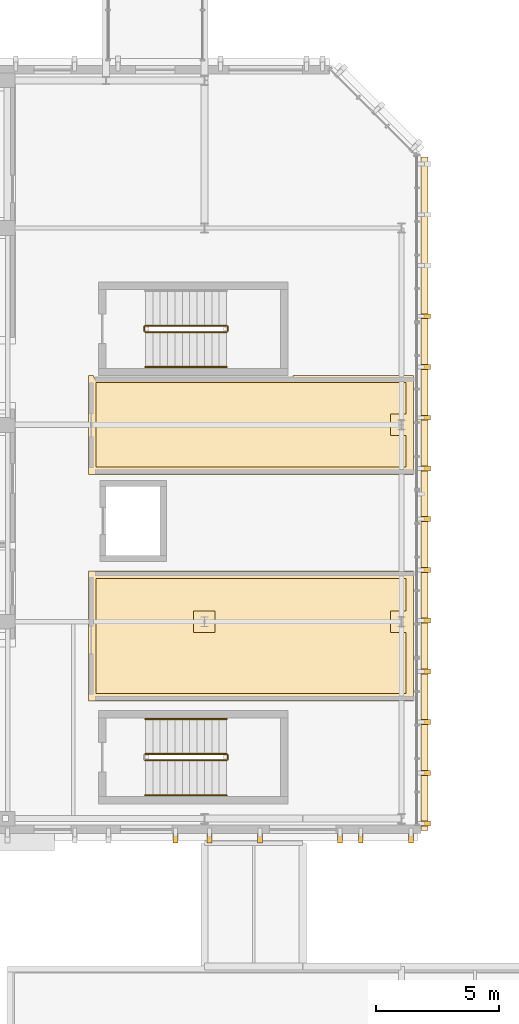
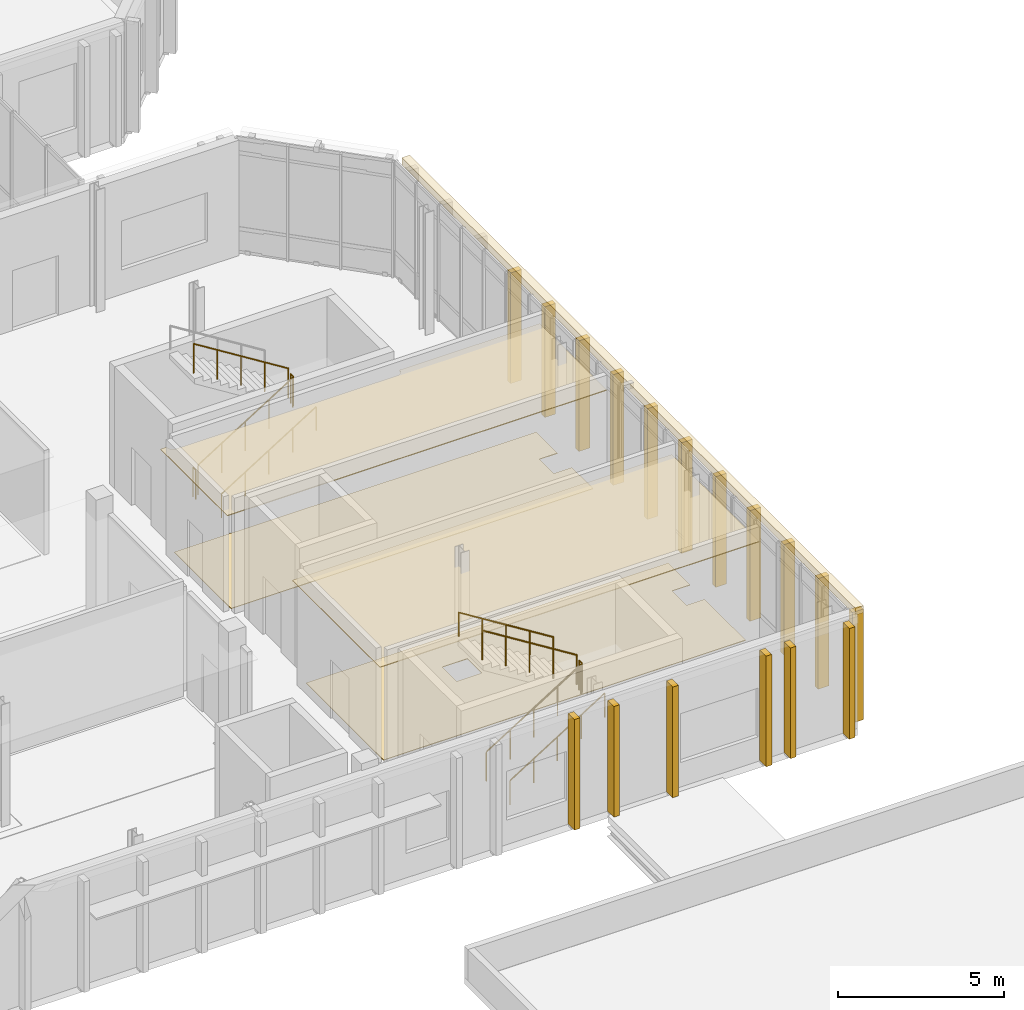
# One storey, part 75 of 86: 22 coverings, 10 railings.
"""IFC4 building model written with IfcOpenShell, lengths in metres."""

from ifc_helpers import new_model, si_unit, direction, frame, origin, origin_2d, place, context, subcontext, project, spatial, polyline, rectangle, circle, outline, extrude, material, layer, layer_set, type_object, element, save


model = new_model("IFC4")

# Units and contexts
model_context = context("Model", 3, precision=1e-05, world=origin(), true_north=direction((0.0, 1.0)))
body_context = subcontext(model_context, "Body", "Model", "MODEL_VIEW")
ifc_project = project(units=[si_unit("LENGTHUNIT", "METRE"), si_unit("AREAUNIT", "SQUARE_METRE"), si_unit("VOLUMEUNIT", "CUBIC_METRE"), si_unit("PLANEANGLEUNIT", "RADIAN"), si_unit("MASSUNIT", "GRAM", prefix="KILO")], contexts=[model_context])

# Site, building, storey
site_placement = place(None, origin())
site = spatial("IfcSite", under=ifc_project, at=site_placement, CompositionType="ELEMENT")
building_placement = place(site_placement, origin())
building = spatial("IfcBuilding", under=site, at=building_placement, Name="Cymarion Research Institute", CompositionType="ELEMENT")
storey_placement = place(building_placement, frame((0.0, 0.0, 13.800048828125)))
storey = spatial("IfcBuildingStorey", under=building, at=storey_placement, Name="L03", CompositionType="ELEMENT", Elevation=13.800048828125)

# Coverings
ifc_material_1 = material(Name="Micro-perforated mineral acoustic ceiling tile", Category="gypsum")
ifc_layer_1 = layer(ifc_material_1, 0.030029296875)
ifc_layer_set_1 = layer_set([ifc_layer_1], Name="Micro-perforated mineral acoustic ceiling tile")
covering_type_1 = type_object("IfcCoveringType", Name="ACOUSTIC MICRO-PERFORATED SUSPENDED CEILING CLG-01", PredefinedType="CEILING", material=ifc_layer_set_1)
covering_1_placement = place(storey_placement, frame((0.0, 0.0, 3.699951171875)))
element("IfcCovering", 1, at=covering_1_placement, inside=storey, type_object=covering_type_1, Name="L03 L03 Gas Cabinet & Thin-Film Deposition Laboratory acoustic ceiling", PredefinedType="CEILING", context=body_context, shape_type="SweptSolid", body=[
    extrude(outline(polyline([(47.094970703125, 57.56494140625), (47.094970703125, 52.284912109375), (33.885009765625, 52.284912109375), (33.885009765625, 57.56494140625), (47.094970703125, 57.56494140625)])), origin(), (0.0, 0.0, 1.0), 0.030029296875),
])
covering_2_placement = place(storey_placement, frame((0.0, 0.0, 3.699951171875)))
element("IfcCovering", 2, at=covering_2_placement, inside=storey, type_object=covering_type_1, Name="L03 L03 Accessible WC and Cleanroom Staff Washrooms acoustic ceiling", PredefinedType="CEILING", context=body_context, shape_type="SweptSolid", body=[
    extrude(outline(polyline([(34.10009765625, 65.514892578125), (34.10009765625, 65.5), (34.10107421875, 65.48046875), (34.103759765625, 65.4609375), (34.108642578125, 65.44189453125), (34.115234375, 65.423583984375), (34.12353515625, 65.40576171875), (34.1337890625, 65.388916015625), (34.1455078125, 65.373046875), (34.15869140625, 65.358642578125), (34.173095703125, 65.345458984375), (34.18896484375, 65.333740234375), (34.205810546875, 65.323486328125), (34.223388671875, 65.315185546875), (34.241943359375, 65.30859375), (34.260986328125, 65.3037109375), (34.280517578125, 65.301025390625), (34.300048828125, 65.300048828125), (42.0, 65.300048828125), (42.01953125, 65.301025390625), (42.0390625, 65.3037109375), (42.05810546875, 65.30859375), (42.076416015625, 65.315185546875), (42.09423828125, 65.323486328125), (42.111083984375, 65.333740234375), (42.126953125, 65.345458984375), (42.141357421875, 65.358642578125), (42.154541015625, 65.373046875), (42.166259765625, 65.388916015625), (42.176513671875, 65.40576171875), (42.184814453125, 65.423583984375), (42.19140625, 65.44189453125), (42.1962890625, 65.4609375), (42.198974609375, 65.48046875), (42.199951171875, 65.5), (42.199951171875, 65.514892578125), (47.094970703125, 65.514892578125), (47.094970703125, 61.485107421875), (33.885009765625, 61.485107421875), (33.885009765625, 65.514892578125), (34.10009765625, 65.514892578125)])), origin(), (0.0, 0.0, 1.0), 0.030029296875),
])

# Railings
ifc_material_2 = material(Name="Steel S355", Category="steel")
railing_type_1 = type_object("IfcRailingType", Name="PAINTED STEEL STAIR GUARDRAIL GR1 1100MM", PredefinedType="GUARDRAIL", material=ifc_material_2)
railing_1_placement = place(storey_placement, frame((36.199951171875, 49.8701171875, 0.1875)))
element("IfcRailing", 3, at=railing_1_placement, inside=storey, type_object=railing_type_1, Name="L03 ST7 stair guard 1", PredefinedType="GUARDRAIL", context=body_context, shape_type="SweptSolid", body=[
    extrude(circle(Radius=0.02392578125, at=origin_2d()), frame((0.0, 0.0, 1.076171875), z_axis=(0.848001828478, 0.0, 0.529993300805), x_axis=(0.0, 1.0, 0.0)), (0.0, 0.0, 1.0), 3.8916015625),
    extrude(circle(Radius=0.02099609375, at=origin_2d()), origin(), (0.0, 0.0, 1.0), 1.052001953125),
    extrude(circle(Radius=0.02099609375, at=origin_2d()), frame((0.824951171875, 0.0, 0.515625)), (0.0, 0.0, 1.0), 1.052001953125),
    extrude(circle(Radius=0.02099609375, at=origin_2d()), frame((1.64990234375, 0.0, 1.03125)), (0.0, 0.0, 1.0), 1.052001953125),
    extrude(circle(Radius=0.02099609375, at=origin_2d()), frame((2.47509765625, 0.0, 1.546875)), (0.0, 0.0, 1.0), 1.052001953125),
    extrude(circle(Radius=0.02099609375, at=origin_2d()), frame((3.300048828125, 0.0, 2.0625)), (0.0, 0.0, 1.0), 1.052001953125),
])
railing_2_placement = place(storey_placement, frame((39.550048828125, 49.919921875, 2.25)))
element("IfcRailing", 4, at=railing_2_placement, inside=storey, type_object=railing_type_1, Name="L03 ST7 stair guard 2", PredefinedType="GUARDRAIL", context=body_context, shape_type="SweptSolid", body=[
    extrude(circle(Radius=0.02392578125, at=origin_2d()), frame((0.0, 0.0, 1.076171875), z_axis=(0.0, 1.0, 0.0), x_axis=(-1.0, 0.0, 0.0)), (0.0, 0.0, 1.0), 0.16015625),
    extrude(circle(Radius=0.02099609375, at=origin_2d()), origin(), (0.0, 0.0, 1.0), 1.052001953125),
    extrude(circle(Radius=0.02099609375, at=origin_2d()), frame((0.0, 0.16015625, 0.0)), (0.0, 0.0, 1.0), 1.052001953125),
])
railing_3_placement = place(storey_placement, frame((39.5, 50.1298828125, 2.4375)))
element("IfcRailing", 5, at=railing_3_placement, inside=storey, type_object=railing_type_1, Name="L03 ST7 stair guard 3", PredefinedType="GUARDRAIL", context=body_context, shape_type="SweptSolid", body=[
    extrude(circle(Radius=0.02392578125, at=origin_2d()), frame((0.0, 0.0, 1.076171875), z_axis=(-0.848001828478, 0.0, 0.529993300805), x_axis=(0.0, -1.0, 0.0)), (0.0, 0.0, 1.0), 3.8916015625),
    extrude(circle(Radius=0.02099609375, at=origin_2d()), origin(), (0.0, 0.0, 1.0), 1.052001953125),
    extrude(circle(Radius=0.02099609375, at=origin_2d()), frame((-0.824951171875, 0.0, 0.515625)), (0.0, 0.0, 1.0), 1.052001953125),
    extrude(circle(Radius=0.02099609375, at=origin_2d()), frame((-1.64990234375, 0.0, 1.03125)), (0.0, 0.0, 1.0), 1.052001953125),
    extrude(circle(Radius=0.02099609375, at=origin_2d()), frame((-2.47509765625, 0.0, 1.546875)), (0.0, 0.0, 1.0), 1.052001953125),
    extrude(circle(Radius=0.02099609375, at=origin_2d()), frame((-3.300048828125, 0.0, 2.0625)), (0.0, 0.0, 1.0), 1.052001953125),
])
railing_4_placement = place(storey_placement, frame((36.199951171875, 67.27001953125, 0.1875)))
element("IfcRailing", 6, at=railing_4_placement, inside=storey, type_object=railing_type_1, Name="L03 ST8 stair guard 1", PredefinedType="GUARDRAIL", context=body_context, shape_type="SweptSolid", body=[
    extrude(circle(Radius=0.02392578125, at=origin_2d()), frame((0.0, 0.0, 1.076171875), z_axis=(0.848001828478, 0.0, 0.529993300805), x_axis=(0.0, 1.0, 0.0)), (0.0, 0.0, 1.0), 3.8916015625),
    extrude(circle(Radius=0.02099609375, at=origin_2d()), origin(), (0.0, 0.0, 1.0), 1.052001953125),
    extrude(circle(Radius=0.02099609375, at=origin_2d()), frame((0.824951171875, 0.0, 0.515625)), (0.0, 0.0, 1.0), 1.052001953125),
    extrude(circle(Radius=0.02099609375, at=origin_2d()), frame((1.64990234375, 0.0, 1.03125)), (0.0, 0.0, 1.0), 1.052001953125),
    extrude(circle(Radius=0.02099609375, at=origin_2d()), frame((2.47509765625, 0.0, 1.546875)), (0.0, 0.0, 1.0), 1.052001953125),
    extrude(circle(Radius=0.02099609375, at=origin_2d()), frame((3.300048828125, 0.0, 2.0625)), (0.0, 0.0, 1.0), 1.052001953125),
])
railing_5_placement = place(storey_placement, frame((39.550048828125, 67.320068359375, 2.25)))
element("IfcRailing", 7, at=railing_5_placement, inside=storey, type_object=railing_type_1, Name="L03 ST8 stair guard 2", PredefinedType="GUARDRAIL", context=body_context, shape_type="SweptSolid", body=[
    extrude(circle(Radius=0.02392578125, at=origin_2d()), frame((0.0, 0.0, 1.076171875), z_axis=(0.0, 1.0, 0.0), x_axis=(-1.0, 0.0, 0.0)), (0.0, 0.0, 1.0), 0.159912109375),
    extrude(circle(Radius=0.02099609375, at=origin_2d()), origin(), (0.0, 0.0, 1.0), 1.052001953125),
    extrude(circle(Radius=0.02099609375, at=origin_2d()), frame((0.0, 0.159912109375, 0.0)), (0.0, 0.0, 1.0), 1.052001953125),
])
railing_6_placement = place(storey_placement, frame((39.5, 67.530029296875, 2.4375)))
element("IfcRailing", 8, at=railing_6_placement, inside=storey, type_object=railing_type_1, Name="L03 ST8 stair guard 3", PredefinedType="GUARDRAIL", context=body_context, shape_type="SweptSolid", body=[
    extrude(circle(Radius=0.02392578125, at=origin_2d()), frame((0.0, 0.0, 1.076171875), z_axis=(-0.848001828478, 0.0, 0.529993300805), x_axis=(0.0, -1.0, 0.0)), (0.0, 0.0, 1.0), 3.8916015625),
    extrude(circle(Radius=0.02099609375, at=origin_2d()), origin(), (0.0, 0.0, 1.0), 1.052001953125),
    extrude(circle(Radius=0.02099609375, at=origin_2d()), frame((-0.824951171875, 0.0, 0.515625)), (0.0, 0.0, 1.0), 1.052001953125),
    extrude(circle(Radius=0.02099609375, at=origin_2d()), frame((-1.64990234375, 0.0, 1.03125)), (0.0, 0.0, 1.0), 1.052001953125),
    extrude(circle(Radius=0.02099609375, at=origin_2d()), frame((-2.47509765625, 0.0, 1.546875)), (0.0, 0.0, 1.0), 1.052001953125),
    extrude(circle(Radius=0.02099609375, at=origin_2d()), frame((-3.300048828125, 0.0, 2.0625)), (0.0, 0.0, 1.0), 1.052001953125),
])
railing_7_placement = place(storey_placement, frame((36.14990234375, 67.320068359375, 0.0)))
element("IfcRailing", 9, at=railing_7_placement, inside=storey, type_object=railing_type_1, Name="L03 ST8 stair guard 4", PredefinedType="GUARDRAIL", context=body_context, shape_type="SweptSolid", body=[
    extrude(circle(Radius=0.02392578125, at=origin_2d()), frame((0.0, 0.0, 1.076171875), z_axis=(0.0, 1.0, 0.0), x_axis=(-1.0, 0.0, 0.0)), (0.0, 0.0, 1.0), 0.159912109375),
    extrude(circle(Radius=0.02099609375, at=origin_2d()), origin(), (0.0, 0.0, 1.0), 1.052001953125),
    extrude(circle(Radius=0.02099609375, at=origin_2d()), frame((0.0, 0.159912109375, 0.0)), (0.0, 0.0, 1.0), 1.052001953125),
])

# Coverings
ifc_material_3 = material(Name="Precast concrete C45/55 architectural white", Category="concrete")
ifc_layer_2 = layer(ifc_material_3, 0.260009765625)
ifc_layer_set_2 = layer_set([ifc_layer_2], Name="Precast concrete C45/55 architectural white")
covering_type_2 = type_object("IfcCoveringType", Name="SCULPTURAL WHITE PRECAST CONCRETE SPANDREL BROW BAND RIB2 280MM", PredefinedType="CLADDING", material=ifc_layer_set_2)
covering_3_placement = place(storey_placement, frame((47.5419921875, 60.699951171875, 4.08984375), z_axis=(0.0, 0.0, 1.0), x_axis=(1.0, 0.0, 0.0)))
element("IfcCovering", 10, at=covering_3_placement, inside=storey, type_object=covering_type_2, Name="L03 V4 precast spandrel brow band RIB2 #687", PredefinedType="CLADDING", context=body_context, shape_type="SweptSolid", body=[
    extrude(rectangle(XDim=0.280029296875, YDim=27.360107421875, at=origin_2d()), origin(), (0.0, 0.0, 1.0), 0.260009765625),
])
ifc_layer_3 = layer(ifc_material_3, 0.199951171875)
ifc_layer_set_3 = layer_set([ifc_layer_3], Name="Precast concrete C45/55 architectural white")
covering_type_3 = type_object("IfcCoveringType", Name="SCULPTURAL WHITE PRECAST CONCRETE VERTICAL RIB RIB1 380X200", PredefinedType="CLADDING", material=ifc_layer_set_3)
for number, where, z_axis, x_axis, name in (
    (11, (37.429931640625, 46.7080078125, 0.009765625), (0.0, 0.0, 1.0), (0.0, -1.0, 0.0), "L03 V4 sculptural precast vertical rib RIB1 #681"),
    (12, (38.800048828125, 46.7080078125, 0.009765625), (0.0, 0.0, 1.0), (0.0, -1.0, 0.0), "L03 V4 sculptural precast vertical rib RIB1 #682"),
    (13, (40.85009765625, 46.7080078125, 0.009765625), (0.0, 0.0, 1.0), (0.0, -1.0, 0.0), "L03 V4 sculptural precast vertical rib RIB1 #683"),
    (14, (44.10009765625, 46.7080078125, 0.009765625), (0.0, 0.0, 1.0), (0.0, -1.0, 0.0), "L03 V4 sculptural precast vertical rib RIB1 #684"),
    (15, (44.949951171875, 46.7080078125, 0.009765625), (0.0, 0.0, 1.0), (0.0, -1.0, 0.0), "L03 V4 sculptural precast vertical rib RIB1 #685"),
    (16, (47.0, 46.7080078125, 0.009765625), (0.0, 0.0, 1.0), (0.0, -1.0, 0.0), "L03 V4 sculptural precast vertical rib RIB1 #686"),
    (17, (47.592041015625, 47.300048828125, 0.009765625), (0.0, 0.0, 1.0), (1.0, 0.0, 0.0), "L03 V4 sculptural precast vertical rib RIB1 #688"),
    (18, (47.592041015625, 49.361572265625, 0.009765625), (0.0, 0.0, 1.0), (1.0, 0.0, 0.0), "L03 V4 sculptural precast vertical rib RIB1 #689"),
    (19, (47.592041015625, 51.423095703125, 0.009765625), (0.0, 0.0, 1.0), (1.0, 0.0, 0.0), "L03 V4 sculptural precast vertical rib RIB1 #690"),
    (20, (47.592041015625, 53.484619140625, 0.009765625), (0.0, 0.0, 1.0), (1.0, 0.0, 0.0), "L03 V4 sculptural precast vertical rib RIB1 #691"),
    (21, (47.592041015625, 55.546142578125, 0.009765625), (0.0, 0.0, 1.0), (1.0, 0.0, 0.0), "L03 V4 sculptural precast vertical rib RIB1 #692"),
    (22, (47.592041015625, 57.607666015625, 0.009765625), (0.0, 0.0, 1.0), (1.0, 0.0, 0.0), "L03 V4 sculptural precast vertical rib RIB1 #693"),
    (23, (47.592041015625, 59.669189453125, 0.009765625), (0.0, 0.0, 1.0), (1.0, 0.0, 0.0), "L03 V4 sculptural precast vertical rib RIB1 #694"),
    (24, (47.592041015625, 61.730712890625, 0.009765625), (0.0, 0.0, 1.0), (1.0, 0.0, 0.0), "L03 V4 sculptural precast vertical rib RIB1 #695"),
    (25, (47.592041015625, 63.792236328125, 0.009765625), (0.0, 0.0, 1.0), (1.0, 0.0, 0.0), "L03 V4 sculptural precast vertical rib RIB1 #696"),
    (26, (47.592041015625, 65.853759765625, 0.009765625), (0.0, 0.0, 1.0), (1.0, 0.0, 0.0), "L03 V4 sculptural precast vertical rib RIB1 #697"),
    (27, (47.592041015625, 67.915283203125, 0.009765625), (0.0, 0.0, 1.0), (1.0, 0.0, 0.0), "L03 V4 sculptural precast vertical rib RIB1 #698"),
):
    element("IfcCovering", number, at=place(storey_placement, frame(where, z_axis=z_axis, x_axis=x_axis)), inside=storey, type_object=covering_type_3, Name=name, PredefinedType="CLADDING", context=body_context, shape_type="SweptSolid", body=[
        extrude(rectangle(XDim=0.3798828125, YDim=0.199951171875, at=origin_2d()), origin(), (0.0, 0.0, 1.0), 4.074951171875),
    ])
ifc_material_4 = material(Name="Seamless dissipative epoxy resin flooring", Category="resin")
ifc_layer_4 = layer(ifc_material_4, 0.02001953125)
ifc_layer_set_4 = layer_set([ifc_layer_4], Name="Seamless dissipative epoxy resin flooring")
covering_type_4 = type_object("IfcCoveringType", Name="SEAMLESS ESD EPOXY LABORATORY FLOORING FLR-01", PredefinedType="FLOORING", material=ifc_layer_set_4)
covering_4_placement = place(storey_placement, origin())
element("IfcCovering", 28, at=covering_4_placement, inside=storey, type_object=covering_type_4, Name="L03 L03 Gas Cabinet & Thin-Film Deposition Laboratory ESD epoxy flooring", PredefinedType="FLOORING", context=body_context, shape_type="SweptSolid", body=[
    extrude(outline(polyline([(34.18505859375, 57.264892578125), (46.794921875, 57.264892578125), (46.794921875, 55.93505859375), (46.1650390625, 55.93505859375), (46.1650390625, 55.06494140625), (46.794921875, 55.06494140625), (46.794921875, 52.5849609375), (34.18505859375, 52.5849609375), (34.18505859375, 57.264892578125)]), holes=[polyline([(39.034912109375, 55.93505859375), (38.1650390625, 55.93505859375), (38.1650390625, 55.06494140625), (39.034912109375, 55.06494140625), (39.034912109375, 55.93505859375)])]), origin(), (0.0, 0.0, 1.0), 0.02001953125),
])
covering_5_placement = place(storey_placement, origin())
element("IfcCovering", 29, at=covering_5_placement, inside=storey, type_object=covering_type_4, Name="L03 L03 Accessible WC and Cleanroom Staff Washrooms ESD epoxy flooring", PredefinedType="FLOORING", context=body_context, shape_type="SweptSolid", body=[
    extrude(outline(polyline([(34.18505859375, 65.215087890625), (46.794921875, 65.215087890625), (46.794921875, 63.93505859375), (46.1650390625, 63.93505859375), (46.1650390625, 63.06494140625), (46.794921875, 63.06494140625), (46.794921875, 61.784912109375), (34.18505859375, 61.784912109375), (34.18505859375, 65.215087890625)])), origin(), (0.0, 0.0, 1.0), 0.02001953125),
])

# Railings
railing_type_2 = type_object("IfcRailingType", Name="STAINLESS STEEL STAIR HANDRAIL HR1 900MM", PredefinedType="HANDRAIL", material=ifc_material_2)
railing_8_placement = place(storey_placement, frame((36.199951171875, 48.449951171875, 0.1875)))
element("IfcRailing", 30, at=railing_8_placement, inside=storey, type_object=railing_type_2, Name="L03 ST7 stair handrail 1", PredefinedType="HANDRAIL", context=body_context, shape_type="SweptSolid", body=[
    extrude(circle(Radius=0.02392578125, at=origin_2d()), frame((0.0, 0.0, 0.8759765625), z_axis=(0.848001828478, 0.0, 0.529993300805), x_axis=(0.0, 1.0, 0.0)), (0.0, 0.0, 1.0), 3.8916015625),
    extrude(circle(Radius=0.02099609375, at=origin_2d()), origin(), (0.0, 0.0, 1.0), 0.851806640625),
    extrude(circle(Radius=0.02099609375, at=origin_2d()), frame((0.824951171875, 0.0, 0.515625)), (0.0, 0.0, 1.0), 0.851806640625),
    extrude(circle(Radius=0.02099609375, at=origin_2d()), frame((1.64990234375, 0.0, 1.03125)), (0.0, 0.0, 1.0), 0.851806640625),
    extrude(circle(Radius=0.02099609375, at=origin_2d()), frame((2.47509765625, 0.0, 1.546875)), (0.0, 0.0, 1.0), 0.851806640625),
    extrude(circle(Radius=0.02099609375, at=origin_2d()), frame((3.300048828125, 0.0, 2.0625)), (0.0, 0.0, 1.0), 0.851806640625),
])
railing_9_placement = place(storey_placement, frame((39.5, 51.550048828125, 2.4375)))
element("IfcRailing", 31, at=railing_9_placement, inside=storey, type_object=railing_type_2, Name="L03 ST7 stair handrail 2", PredefinedType="HANDRAIL", context=body_context, shape_type="SweptSolid", body=[
    extrude(circle(Radius=0.02392578125, at=origin_2d()), frame((0.0, 0.0, 0.8759765625), z_axis=(-0.848001828478, 0.0, 0.529993300805), x_axis=(0.0, -1.0, 0.0)), (0.0, 0.0, 1.0), 3.8916015625),
    extrude(circle(Radius=0.02099609375, at=origin_2d()), origin(), (0.0, 0.0, 1.0), 0.851806640625),
    extrude(circle(Radius=0.02099609375, at=origin_2d()), frame((-0.824951171875, 0.0, 0.515625)), (0.0, 0.0, 1.0), 0.851806640625),
    extrude(circle(Radius=0.02099609375, at=origin_2d()), frame((-1.64990234375, 0.0, 1.03125)), (0.0, 0.0, 1.0), 0.851806640625),
    extrude(circle(Radius=0.02099609375, at=origin_2d()), frame((-2.47509765625, 0.0, 1.546875)), (0.0, 0.0, 1.0), 0.851806640625),
    extrude(circle(Radius=0.02099609375, at=origin_2d()), frame((-3.300048828125, 0.0, 2.0625)), (0.0, 0.0, 1.0), 0.851806640625),
])
railing_10_placement = place(storey_placement, frame((36.199951171875, 65.85009765625, 0.1875)))
element("IfcRailing", 32, at=railing_10_placement, inside=storey, type_object=railing_type_2, Name="L03 ST8 stair handrail 1", PredefinedType="HANDRAIL", context=body_context, shape_type="SweptSolid", body=[
    extrude(circle(Radius=0.02392578125, at=origin_2d()), frame((0.0, 0.0, 0.8759765625), z_axis=(0.848001828478, 0.0, 0.529993300805), x_axis=(0.0, 1.0, 0.0)), (0.0, 0.0, 1.0), 3.8916015625),
    extrude(circle(Radius=0.02099609375, at=origin_2d()), origin(), (0.0, 0.0, 1.0), 0.851806640625),
    extrude(circle(Radius=0.02099609375, at=origin_2d()), frame((0.824951171875, 0.0, 0.515625)), (0.0, 0.0, 1.0), 0.851806640625),
    extrude(circle(Radius=0.02099609375, at=origin_2d()), frame((1.64990234375, 0.0, 1.03125)), (0.0, 0.0, 1.0), 0.851806640625),
    extrude(circle(Radius=0.02099609375, at=origin_2d()), frame((2.47509765625, 0.0, 1.546875)), (0.0, 0.0, 1.0), 0.851806640625),
    extrude(circle(Radius=0.02099609375, at=origin_2d()), frame((3.300048828125, 0.0, 2.0625)), (0.0, 0.0, 1.0), 0.851806640625),
])

save(model, "model.ifc")
